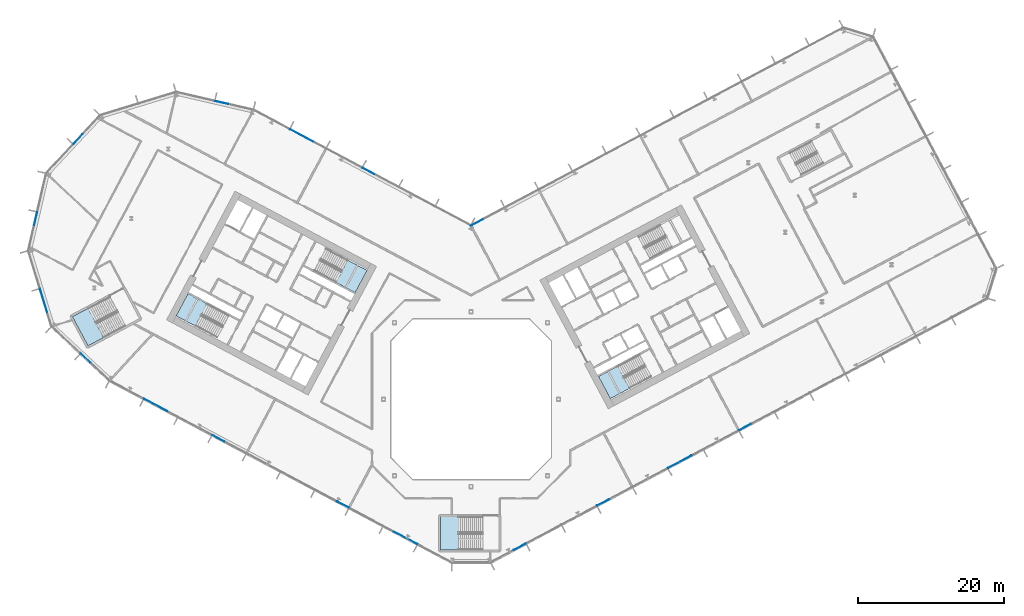
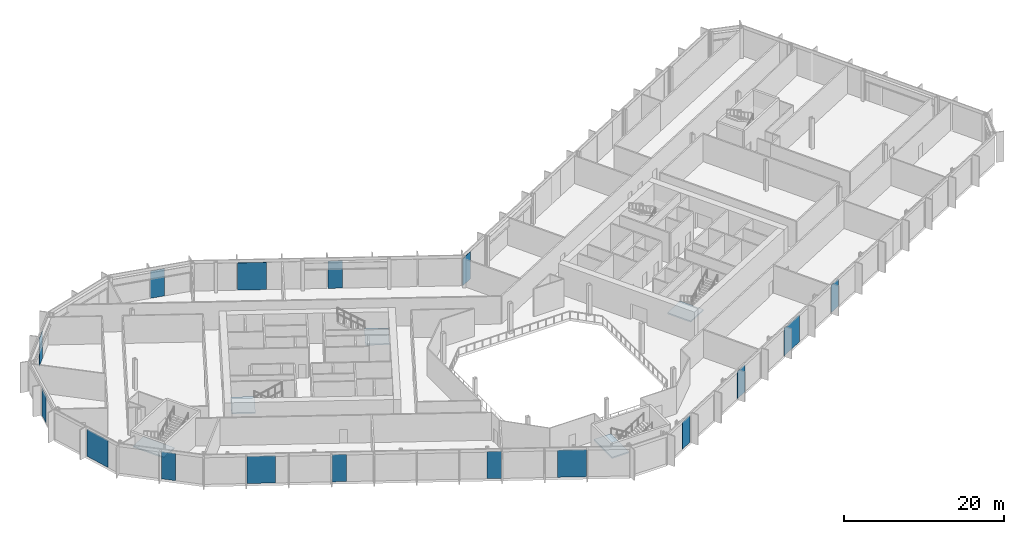
# One storey, part 10 of 31: 16 plates, 5 slabs, 14 elements without a shape of their own.
"""IFC4 building model written with IfcOpenShell, lengths in metres."""

from ifc_helpers import new_model, si_unit, direction, frame, origin, origin_2d, place, context, subcontext, project, spatial, polyline, rectangle, outline, extrude, material, layer, layer_set, type_object, element, aggregate, save


model = new_model("IFC4")

# Units and contexts
model_context = context("Model", 3, precision=1e-05, world=origin(), true_north=direction((0.0, 1.0)))
body_context = subcontext(model_context, "Body", "Model", "MODEL_VIEW")
ifc_project = project(units=[si_unit("LENGTHUNIT", "METRE"), si_unit("AREAUNIT", "SQUARE_METRE"), si_unit("VOLUMEUNIT", "CUBIC_METRE"), si_unit("PLANEANGLEUNIT", "RADIAN"), si_unit("MASSUNIT", "GRAM", prefix="KILO")], contexts=[model_context])

# Site, building, storey
site_placement = place(None, origin())
site = spatial("IfcSite", under=ifc_project, at=site_placement, CompositionType="ELEMENT")
building_placement = place(site_placement, origin())
building = spatial("IfcBuilding", under=site, at=building_placement, Name="Cormorant Relay Tower", CompositionType="ELEMENT")
storey_placement = place(building_placement, frame((0.0, 0.0, 93.800048828125)))
storey = spatial("IfcBuildingStorey", under=building, at=storey_placement, Name="L18", CompositionType="ELEMENT", Elevation=93.800048828125)

# Curtain wall, plates
ifc_material_1 = material(Name="Aluminium 6063-T6 anodised bronze", Category="aluminium")
ifc_layer_1 = layer(ifc_material_1, 0.199951171875)
ifc_layer_set_1 = layer_set([ifc_layer_1], Name="CW1 unitised bronze curtain wall with vertical fins")
curtain_wall_type = type_object("IfcCurtainWallType", Name="CW1 unitised bronze curtain wall with vertical fins", PredefinedType="NOTDEFINED", material=ifc_layer_set_1)
curtain_wall_1_placement = place(storey_placement, origin())
curtain_wall_1 = element("IfcCurtainWall", 1, at=curtain_wall_1_placement, inside=storey, type_object=curtain_wall_type, Name="CW1 curtain wall 2", PredefinedType="NOTDEFINED")
ifc_material_2 = material(Name="Tinted laminated glass", Category="glass")
ifc_layer_2 = layer(ifc_material_2, 0.0400390625)
ifc_layer_set_2 = layer_set([ifc_layer_2], Name="CW1 tinted vision panel 1800 module")
plate_type_1 = type_object("IfcPlateType", Name="CW1 tinted vision panel 1800 module", PredefinedType="CURTAIN_PANEL", material=ifc_layer_set_2)
plate_1_placement = place(storey_placement, frame((6.6640625, -20.26318359375, 0.0), z_axis=(0.0, 0.0, 1.0), x_axis=(0.882947592859, 0.469471562786, 0.0)))
plate_1 = element("IfcPlate", 2, at=plate_1_placement, type_object=plate_type_1, Name="CW1 panel V01", PredefinedType="CURTAIN_PANEL", context=body_context, shape_type="SweptSolid", body=[
    extrude(rectangle(XDim=1.800048828125, YDim=0.0400390625, at=origin_2d()), origin(), (0.0, 0.0, 1.0), 4.14990234375),
])
plate_2_placement = place(storey_placement, frame((18.119140625, -14.172607421875, 0.0), z_axis=(0.0, 0.0, 1.0), x_axis=(0.882947592859, 0.469471562786, 0.0)))
plate_2 = element("IfcPlate", 3, at=plate_2_placement, type_object=plate_type_1, Name="CW1 panel V04", PredefinedType="CURTAIN_PANEL", context=body_context, shape_type="SweptSolid", body=[
    extrude(rectangle(XDim=1.800048828125, YDim=0.0400390625, at=origin_2d()), origin(), (0.0, 0.0, 1.0), 4.14990234375),
])
plate_3_placement = place(storey_placement, frame((37.585693359375, -3.822021484375, 0.0), z_axis=(0.0, 0.0, 1.0), x_axis=(0.882947592859, 0.469471562786, 0.0)))
plate_3 = element("IfcPlate", 4, at=plate_3_placement, type_object=plate_type_1, Name="CW1 panel V08", PredefinedType="CURTAIN_PANEL", context=body_context, shape_type="SweptSolid", body=[
    extrude(rectangle(XDim=1.800048828125, YDim=0.0400390625, at=origin_2d()), origin(), (0.0, 0.0, 1.0), 4.14990234375),
])

# Curtain wall, plate
curtain_wall_2_placement = place(storey_placement, origin())
curtain_wall_2 = element("IfcCurtainWall", 5, at=curtain_wall_2_placement, inside=storey, type_object=curtain_wall_type, Name="CW1 curtain wall 6", PredefinedType="NOTDEFINED")
plate_4_placement = place(storey_placement, frame((0.785400390625, 24.22412109375, 0.0), z_axis=(0.0, 0.0, 1.0), x_axis=(-0.882947592859, -0.469471562786, 0.0)))
plate_4 = element("IfcPlate", 6, at=plate_4_placement, type_object=plate_type_1, Name="CW1 panel V10", PredefinedType="CURTAIN_PANEL", context=body_context, shape_type="SweptSolid", body=[
    extrude(rectangle(XDim=1.800048828125, YDim=0.0400390625, at=origin_2d()), origin(), (0.0, 0.0, 1.0), 4.14990234375),
])
aggregate(curtain_wall_2, [plate_4])

curtain_wall_3_placement = place(storey_placement, origin())
curtain_wall_3 = element("IfcCurtainWall", 7, at=curtain_wall_3_placement, inside=storey, type_object=curtain_wall_type, Name="CW1 curtain wall 7", PredefinedType="NOTDEFINED")
plate_5_placement = place(storey_placement, frame((-14.066650390625, 31.285888671875, 0.0), z_axis=(0.0, 0.0, 1.0), x_axis=(-0.882947592859, 0.469471562786, 0.0)))
plate_5 = element("IfcPlate", 8, at=plate_5_placement, type_object=plate_type_1, Name="CW1 panel V02", PredefinedType="CURTAIN_PANEL", context=body_context, shape_type="SweptSolid", body=[
    extrude(rectangle(XDim=1.800048828125, YDim=0.0400390625, at=origin_2d()), origin(), (0.0, 0.0, 1.0), 4.14990234375),
])

curtain_wall_4_placement = place(storey_placement, origin())
curtain_wall_4 = element("IfcCurtainWall", 9, at=curtain_wall_4_placement, inside=storey, type_object=curtain_wall_type, Name="CW1 curtain wall 8", PredefinedType="NOTDEFINED")
plate_6_placement = place(storey_placement, frame((-34.215087890625, 40.69091796875, 0.0), z_axis=(0.0, 0.0, 1.0), x_axis=(-0.974370064785, 0.224951054344, 0.0)))
plate_6 = element("IfcPlate", 10, at=plate_6_placement, type_object=plate_type_1, Name="CW1 panel V01", PredefinedType="CURTAIN_PANEL", context=body_context, shape_type="SweptSolid", body=[
    extrude(rectangle(XDim=1.800048828125, YDim=0.0400390625, at=origin_2d()), origin(), (0.0, 0.0, 1.0), 4.14990234375),
])
aggregate(curtain_wall_4, [plate_6])

curtain_wall_5_placement = place(storey_placement, origin())
curtain_wall_5 = element("IfcCurtainWall", 11, at=curtain_wall_5_placement, inside=storey, type_object=curtain_wall_type, Name="CW1 curtain wall 10", PredefinedType="NOTDEFINED")
plate_7_placement = place(storey_placement, frame((-53.91748046875, 35.68701171875, 0.0), z_axis=(0.0, 0.0, 1.0), x_axis=(-0.681998360062, -0.731353701619, 0.0)))
plate_7 = element("IfcPlate", 12, at=plate_7_placement, type_object=plate_type_1, Name="CW1 panel V01", PredefinedType="CURTAIN_PANEL", context=body_context, shape_type="SweptSolid", body=[
    extrude(rectangle(XDim=1.800048828125, YDim=0.0400390625, at=origin_2d()), origin(), (0.0, 0.0, 1.0), 4.14990234375),
])
aggregate(curtain_wall_5, [plate_7])

curtain_wall_6_placement = place(storey_placement, origin())
curtain_wall_6 = element("IfcCurtainWall", 13, at=curtain_wall_6_placement, inside=storey, type_object=curtain_wall_type, Name="CW1 curtain wall 11", PredefinedType="NOTDEFINED")
plate_8_placement = place(storey_placement, frame((-59.736083984375, 24.74365234375, 0.0), z_axis=(0.0, 0.0, 1.0), x_axis=(-0.224951054344, -0.974370064785, 0.0)))
plate_8 = element("IfcPlate", 14, at=plate_8_placement, type_object=plate_type_1, Name="CW1 panel V01", PredefinedType="CURTAIN_PANEL", context=body_context, shape_type="SweptSolid", body=[
    extrude(rectangle(XDim=1.800048828125, YDim=0.0400390625, at=origin_2d()), origin(), (0.0, 0.0, 1.0), 4.14990234375),
])
aggregate(curtain_wall_6, [plate_8])

curtain_wall_7_placement = place(storey_placement, origin())
curtain_wall_7 = element("IfcCurtainWall", 15, at=curtain_wall_7_placement, inside=storey, type_object=curtain_wall_type, Name="CW1 curtain wall 13", PredefinedType="NOTDEFINED")
plate_9_placement = place(storey_placement, frame((-52.8671875, 5.611572265625, 0.0), z_axis=(0.0, 0.0, 1.0), x_axis=(0.731353701619, -0.681998360062, 0.0)))
plate_9 = element("IfcPlate", 16, at=plate_9_placement, type_object=plate_type_1, Name="CW1 panel V01", PredefinedType="CURTAIN_PANEL", context=body_context, shape_type="SweptSolid", body=[
    extrude(rectangle(XDim=1.800048828125, YDim=0.0400390625, at=origin_2d()), origin(), (0.0, 0.0, 1.0), 4.14990234375),
])
aggregate(curtain_wall_7, [plate_9])

# Curtain wall, plates
curtain_wall_8_placement = place(storey_placement, origin())
curtain_wall_8 = element("IfcCurtainWall", 17, at=curtain_wall_8_placement, inside=storey, type_object=curtain_wall_type, Name="CW1 curtain wall 14", PredefinedType="NOTDEFINED")
plate_10_placement = place(storey_placement, frame((-34.6572265625, -5.37890625, 0.0), z_axis=(0.0, 0.0, 1.0), x_axis=(0.882947592859, -0.469471562786, 0.0)))
plate_10 = element("IfcPlate", 18, at=plate_10_placement, type_object=plate_type_1, Name="CW1 panel V03", PredefinedType="CURTAIN_PANEL", context=body_context, shape_type="SweptSolid", body=[
    extrude(rectangle(XDim=1.800048828125, YDim=0.0400390625, at=origin_2d()), origin(), (0.0, 0.0, 1.0), 4.14990234375),
])
plate_11_placement = place(storey_placement, frame((-17.601806640625, -14.447509765625, 0.0), z_axis=(0.0, 0.0, 1.0), x_axis=(0.882947592859, -0.469471562786, 0.0)))
plate_11 = element("IfcPlate", 19, at=plate_11_placement, type_object=plate_type_1, Name="CW1 panel V06", PredefinedType="CURTAIN_PANEL", context=body_context, shape_type="SweptSolid", body=[
    extrude(rectangle(XDim=1.800048828125, YDim=0.0400390625, at=origin_2d()), origin(), (0.0, 0.0, 1.0), 4.14990234375),
])

# Plate
ifc_material_3 = material(Name="Tinted laminated glass", Category="glass")
ifc_layer_3 = layer(ifc_material_3, 0.0400390625)
ifc_layer_set_3 = layer_set([ifc_layer_3], Name="CW1 tinted vision panel 3600 module")
plate_type_2 = type_object("IfcPlateType", Name="CW1 tinted vision panel 3600 module", PredefinedType="CURTAIN_PANEL", material=ifc_layer_set_3)
plate_12_placement = place(storey_placement, frame((28.647216796875, -8.57470703125, 0.0), z_axis=(0.0, 0.0, 1.0), x_axis=(0.882947592859, 0.469471562786, 0.0)))
plate_12 = element("IfcPlate", 20, at=plate_12_placement, type_object=plate_type_2, Name="CW1 panel V06", PredefinedType="CURTAIN_PANEL", context=body_context, shape_type="SweptSolid", body=[
    extrude(rectangle(XDim=3.60009765625, YDim=0.0400390625, at=origin_2d()), origin(), (0.0, 0.0, 1.0), 4.14990234375),
])

aggregate(curtain_wall_1, [plate_1, plate_2, plate_12, plate_3])

plate_13_placement = place(storey_placement, frame((-23.22998046875, 36.158203125, 0.0), z_axis=(0.0, 0.0, 1.0), x_axis=(-0.882947592859, 0.469471562786, 0.0)))
plate_13 = element("IfcPlate", 21, at=plate_13_placement, type_object=plate_type_2, Name="CW1 panel V04", PredefinedType="CURTAIN_PANEL", context=body_context, shape_type="SweptSolid", body=[
    extrude(rectangle(XDim=3.60009765625, YDim=0.0400390625, at=origin_2d()), origin(), (0.0, 0.0, 1.0), 4.14990234375),
])

aggregate(curtain_wall_3, [plate_5, plate_13])

# Curtain wall, plate
curtain_wall_9_placement = place(storey_placement, origin())
curtain_wall_9 = element("IfcCurtainWall", 22, at=curtain_wall_9_placement, inside=storey, type_object=curtain_wall_type, Name="CW1 curtain wall 12", PredefinedType="NOTDEFINED")
plate_14_placement = place(storey_placement, frame((-58.601806640625, 13.396728515625, 0.0), z_axis=(0.0, 0.0, 1.0), x_axis=(0.292371704723, -0.956304755963, 0.0)))
plate_14 = element("IfcPlate", 23, at=plate_14_placement, type_object=plate_type_2, Name="CW1 panel V01", PredefinedType="CURTAIN_PANEL", context=body_context, shape_type="SweptSolid", body=[
    extrude(rectangle(XDim=3.60009765625, YDim=0.0400390625, at=origin_2d()), origin(), (0.0, 0.0, 1.0), 4.14990234375),
])
aggregate(curtain_wall_9, [plate_14])

# Plate
plate_15_placement = place(storey_placement, frame((-43.251220703125, -0.8095703125, 0.0), z_axis=(0.0, 0.0, 1.0), x_axis=(0.882947592859, -0.469471562786, 0.0)))
plate_15 = element("IfcPlate", 24, at=plate_15_placement, type_object=plate_type_2, Name="CW1 panel V01", PredefinedType="CURTAIN_PANEL", context=body_context, shape_type="SweptSolid", body=[
    extrude(rectangle(XDim=3.60009765625, YDim=0.0400390625, at=origin_2d()), origin(), (0.0, 0.0, 1.0), 4.14990234375),
])

plate_16_placement = place(storey_placement, frame((-9.008056640625, -19.01708984375, 0.0), z_axis=(0.0, 0.0, 1.0), x_axis=(0.882947592859, -0.469471562786, 0.0)))
plate_16 = element("IfcPlate", 25, at=plate_16_placement, type_object=plate_type_2, Name="CW1 panel V08", PredefinedType="CURTAIN_PANEL", context=body_context, shape_type="SweptSolid", body=[
    extrude(rectangle(XDim=3.60009765625, YDim=0.0400390625, at=origin_2d()), origin(), (0.0, 0.0, 1.0), 4.14990234375),
])

aggregate(curtain_wall_8, [plate_15, plate_10, plate_11, plate_16])

# Stair, slab
ifc_material_4 = material(Name="Concrete 40 MPa", Category="concrete")
stair_type_1 = type_object("IfcStairType", Name="Exit stair 1500", PredefinedType="HALF_TURN_STAIR", material=ifc_material_4)
stair_1_placement = place(storey_placement, origin())
stair_1 = element("IfcStair", 26, at=stair_1_placement, inside=storey, type_object=stair_type_1, Name="L18 Stair", PredefinedType="HALF_TURN_STAIR")
ifc_material_5 = material(Name="Concrete 40 MPa", Category="concrete")
ifc_layer_4 = layer(ifc_material_5, 0.199951171875)
ifc_layer_set_4 = layer_set([ifc_layer_4], Name="Exit stair landing 200")
slab_type = type_object("IfcSlabType", Name="Exit stair landing 200", PredefinedType="LANDING", material=ifc_layer_set_4)
slab_1_placement = place(storey_placement, frame((0.0, 0.0, 2.099853515625)))
slab_1 = element("IfcSlab", 27, at=slab_1_placement, type_object=slab_type, Name="A1 landing 1", PredefinedType="LANDING", context=body_context, shape_type="SweptSolid", body=[
    extrude(outline(polyline([(-18.534912109375, 16.02783203125), (-15.89501953125, 14.6240234375), (-14.275390625, 17.670166015625), (-16.915283203125, 19.073974609375), (-18.534912109375, 16.02783203125)])), origin(), (0.0, 0.0, 1.0), 0.2001953125),
])
aggregate(stair_1, [slab_1])

stair_2_placement = place(storey_placement, origin())
stair_2 = element("IfcStair", 28, at=stair_2_placement, inside=storey, type_object=stair_type_1, Name="L18 Stair", PredefinedType="HALF_TURN_STAIR")
slab_2_placement = place(storey_placement, frame((0.0, 0.0, 2.099853515625)))
slab_2 = element("IfcSlab", 29, at=slab_2_placement, type_object=slab_type, Name="A2 landing 1", PredefinedType="LANDING", context=body_context, shape_type="SweptSolid", body=[
    extrude(outline(polyline([(-36.207763671875, 13.07958984375), (-38.84765625, 14.483154296875), (-40.467529296875, 11.43701171875), (-37.827392578125, 10.033447265625), (-36.207763671875, 13.07958984375)])), origin(), (0.0, 0.0, 1.0), 0.2001953125),
])
aggregate(stair_2, [slab_2])

stair_3_placement = place(storey_placement, origin())
stair_3 = element("IfcStair", 30, at=stair_3_placement, inside=storey, type_object=stair_type_1, Name="L18 Stair", PredefinedType="HALF_TURN_STAIR")
slab_3_placement = place(storey_placement, frame((0.0, 0.0, 2.099853515625)))
slab_3 = element("IfcSlab", 31, at=slab_3_placement, type_object=slab_type, Name="B1 landing 1", PredefinedType="LANDING", context=body_context, shape_type="SweptSolid", body=[
    extrude(outline(polyline([(20.120361328125, 4.525634765625), (17.48046875, 3.1220703125), (19.10009765625, 0.075927734375), (21.740234375, 1.4794921875), (20.120361328125, 4.525634765625)])), origin(), (0.0, 0.0, 1.0), 0.2001953125),
])
aggregate(stair_3, [slab_3])

ifc_material_6 = material(Name="Concrete 40 MPa", Category="concrete")
stair_type_2 = type_object("IfcStairType", Name="Remote exit stair 2200", PredefinedType="HALF_TURN_STAIR", material=ifc_material_6)
stair_4_placement = place(storey_placement, origin())
stair_4 = element("IfcStair", 32, at=stair_4_placement, inside=storey, type_object=stair_type_2, Name="L18 Stair", PredefinedType="HALF_TURN_STAIR")
slab_4_placement = place(storey_placement, frame((0.0, 0.0, 2.099853515625)))
slab_4 = element("IfcSlab", 33, at=slab_4_placement, type_object=slab_type, Name="RK1 landing 1", PredefinedType="LANDING", context=body_context, shape_type="SweptSolid", body=[
    extrude(outline(polyline([(-1.760009765625, -16.125), (-4.199951171875, -16.125), (-4.199951171875, -20.675048828125), (-1.760009765625, -20.675048828125), (-1.760009765625, -16.125)])), origin(), (0.0, 0.0, 1.0), 0.2001953125),
])
aggregate(stair_4, [slab_4])

stair_5_placement = place(storey_placement, origin())
stair_5 = element("IfcStair", 34, at=stair_5_placement, inside=storey, type_object=stair_type_2, Name="L18 Stair", PredefinedType="HALF_TURN_STAIR")
slab_5_placement = place(storey_placement, frame((0.0, 0.0, 2.099853515625)))
slab_5 = element("IfcSlab", 35, at=slab_5_placement, type_object=slab_type, Name="RP1 landing 1", PredefinedType="LANDING", context=body_context, shape_type="SweptSolid", body=[
    extrude(outline(polyline([(-52.54541015625, 12.476318359375), (-54.699951171875, 11.330810546875), (-52.563720703125, 7.3134765625), (-50.409423828125, 8.458984375), (-52.54541015625, 12.476318359375)])), origin(), (0.0, 0.0, 1.0), 0.2001953125),
])
aggregate(stair_5, [slab_5])

save(model, "model.ifc")
